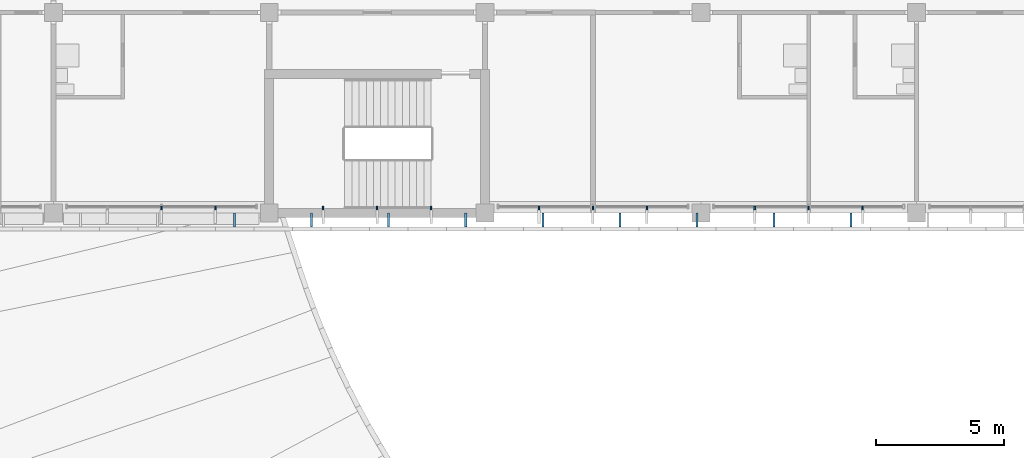
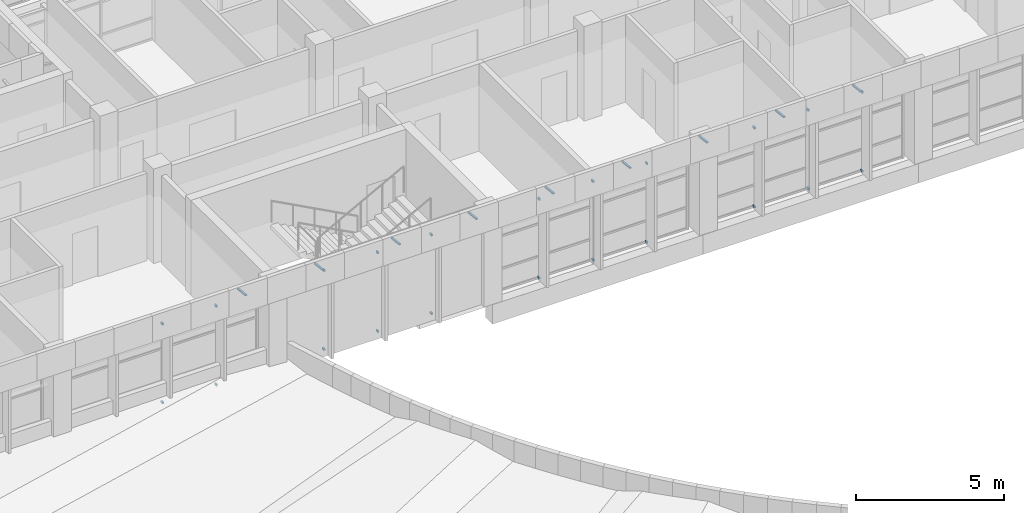
# One storey, part 49 of 74: 31 discrete accessories.
"""IFC4 building model written with IfcOpenShell, lengths in metres."""

from ifc_helpers import new_model, si_unit, direction, frame, origin, origin_2d, place, context, subcontext, project, spatial, rectangle, extrude, material, material_profile, profile_set, type_object, element, save


model = new_model("IFC4")

# Units and contexts
model_context = context("Model", 3, precision=1e-05, world=origin(), true_north=direction((0.0, 1.0)))
body_context = subcontext(model_context, "Body", "Model", "MODEL_VIEW")
ifc_project = project(units=[si_unit("LENGTHUNIT", "METRE"), si_unit("AREAUNIT", "SQUARE_METRE"), si_unit("VOLUMEUNIT", "CUBIC_METRE"), si_unit("PLANEANGLEUNIT", "RADIAN"), si_unit("MASSUNIT", "GRAM", prefix="KILO")], contexts=[model_context])

# Site, building, storey
site_placement = place(None, origin())
site = spatial("IfcSite", under=ifc_project, at=site_placement, CompositionType="ELEMENT")
building_placement = place(site_placement, origin())
building = spatial("IfcBuilding", under=site, at=building_placement, Name="Bougainvillea Quay General Hospital", CompositionType="ELEMENT")
storey_placement = place(building_placement, frame((0.0, 0.0, 21.0)))
storey = spatial("IfcBuildingStorey", under=building, at=storey_placement, Name="L04", CompositionType="ELEMENT", Elevation=21.0)

# Discrete accessories
ifc_material = material(Name="Stainless steel bracket, grade 316", Category="steel")
discrete_accessory_type_1 = type_object("IfcDiscreteAccessoryType", Name="Stainless steel fin arm 60x80", PredefinedType="BRACKET", material=ifc_material)
for number, where, z_axis, x_axis, name in (
    (1, (98.699951171875, 117.7900390625, 0.0), (0.0, 0.0, 1.0), (0.0, -1.0, 0.0), "Fin arm V5B L04 01.25B"),
    (2, (98.699951171875, 117.7900390625, 3.25), (0.0, 0.0, 1.0), (0.0, -1.0, 0.0), "Fin arm V5B L04 01.25T"),
    (3, (96.60009765625, 117.7900390625, 0.0), (0.0, 0.0, 1.0), (0.0, -1.0, 0.0), "Fin arm V5B L04 01.26B"),
    (4, (96.60009765625, 117.7900390625, 3.25), (0.0, 0.0, 1.0), (0.0, -1.0, 0.0), "Fin arm V5B L04 01.26T"),
    (5, (94.5, 117.7900390625, 0.0), (0.0, 0.0, 1.0), (0.0, -1.0, 0.0), "Fin arm V5B L04 01.27B"),
    (6, (94.5, 117.7900390625, 3.25), (0.0, 0.0, 1.0), (0.0, -1.0, 0.0), "Fin arm V5B L04 01.27T"),
    (7, (90.300048828125, 117.7900390625, 0.0), (0.0, 0.0, 1.0), (0.0, -1.0, 0.0), "Fin arm V5B L04 01.28B"),
    (8, (90.300048828125, 117.7900390625, 3.25), (0.0, 0.0, 1.0), (0.0, -1.0, 0.0), "Fin arm V5B L04 01.28T"),
    (9, (88.199951171875, 117.7900390625, 0.0), (0.0, 0.0, 1.0), (0.0, -1.0, 0.0), "Fin arm V5B L04 01.29B"),
    (10, (88.199951171875, 117.7900390625, 3.25), (0.0, 0.0, 1.0), (0.0, -1.0, 0.0), "Fin arm V5B L04 01.29T"),
    (11, (86.10009765625, 117.7900390625, 0.0), (0.0, 0.0, 1.0), (0.0, -1.0, 0.0), "Fin arm V5B L04 01.30B"),
    (12, (86.10009765625, 117.7900390625, 3.25), (0.0, 0.0, 1.0), (0.0, -1.0, 0.0), "Fin arm V5B L04 01.30T"),
    (13, (81.89990234375, 117.7900390625, 0.0), (0.0, 0.0, 1.0), (0.0, -1.0, 0.0), "Fin arm V5B L04 01.31B"),
    (14, (81.89990234375, 117.7900390625, 3.25), (0.0, 0.0, 1.0), (0.0, -1.0, 0.0), "Fin arm V5B L04 01.31T"),
    (15, (79.800048828125, 117.7900390625, 0.0), (0.0, 0.0, 1.0), (0.0, -1.0, 0.0), "Fin arm V5B L04 01.32B"),
    (16, (79.800048828125, 117.7900390625, 3.25), (0.0, 0.0, 1.0), (0.0, -1.0, 0.0), "Fin arm V5B L04 01.32T"),
    (17, (77.699951171875, 117.7900390625, 0.0), (0.0, 0.0, 1.0), (0.0, -1.0, 0.0), "Fin arm V5B L04 01.33B"),
    (18, (77.699951171875, 117.7900390625, 3.25), (0.0, 0.0, 1.0), (0.0, -1.0, 0.0), "Fin arm V5B L04 01.33T"),
    (19, (73.5, 117.7900390625, 0.0), (0.0, 0.0, 1.0), (0.0, -1.0, 0.0), "Fin arm V5B L04 01.34B"),
    (20, (73.5, 117.7900390625, 3.25), (0.0, 0.0, 1.0), (0.0, -1.0, 0.0), "Fin arm V5B L04 01.34T"),
    (21, (71.39990234375, 117.7900390625, 0.0), (0.0, 0.0, 1.0), (0.0, -1.0, 0.0), "Fin arm V5B L04 01.35B"),
    (22, (71.39990234375, 117.7900390625, 3.25), (0.0, 0.0, 1.0), (0.0, -1.0, 0.0), "Fin arm V5B L04 01.35T"),
):
    element("IfcDiscreteAccessory", number, at=place(storey_placement, frame(where, z_axis=z_axis, x_axis=x_axis)), inside=storey, type_object=discrete_accessory_type_1, Name=name, PredefinedType="BRACKET", context=body_context, shape_type="SweptSolid", body=[
        extrude(rectangle(XDim=0.1201171875, YDim=0.06005859375, at=origin_2d()), origin(), (0.0, 0.0, 1.0), 0.080078125),
    ])
ifc_material_profile = material_profile(ifc_material, rectangle(XDim=0.080078125, YDim=0.050048828125, at=origin_2d()))
ifc_profile_set = profile_set([ifc_material_profile], Name="Stainless steel bracket, grade 316")
discrete_accessory_type_2 = type_object("IfcDiscreteAccessoryType", Name="Stainless steel stand-off bracket 80x50", PredefinedType="BRACKET", material=ifc_profile_set)
for number, where, z_axis, x_axis, name in (
    (23, (74.25, 117.60009765625, 3.840087890625), (0.0, -0.994139309541, 0.108106582706), (1.0, 0.0, 0.0), "Fascia bracket e0 35"),
    (24, (77.25, 117.60009765625, 3.840087890625), (0.0, -0.994139309541, 0.108106582706), (1.0, 0.0, 0.0), "Fascia bracket e0 37"),
    (25, (80.25, 117.60009765625, 3.840087890625), (0.0, -0.994139309541, 0.108106582706), (1.0, 0.0, 0.0), "Fascia bracket e0 39"),
    (26, (83.25, 117.60009765625, 3.840087890625), (0.0, -0.994139309541, 0.108106582706), (1.0, 0.0, 0.0), "Fascia bracket e0 41"),
    (27, (86.25, 117.60009765625, 3.840087890625), (0.0, -0.994139309541, 0.108106582706), (1.0, 0.0, 0.0), "Fascia bracket e0 43"),
    (28, (89.25, 117.60009765625, 3.840087890625), (0.0, -0.994139309541, 0.108106582706), (1.0, 0.0, 0.0), "Fascia bracket e0 45"),
    (29, (92.25, 117.60009765625, 3.840087890625), (0.0, -0.994139309541, 0.108106582706), (1.0, 0.0, 0.0), "Fascia bracket e0 47"),
    (30, (95.25, 117.60009765625, 3.840087890625), (0.0, -0.994139309541, 0.108106582706), (1.0, 0.0, 0.0), "Fascia bracket e0 49"),
    (31, (98.25, 117.60009765625, 3.840087890625), (0.0, -0.994139309541, 0.108106582706), (1.0, 0.0, 0.0), "Fascia bracket e0 51"),
):
    element("IfcDiscreteAccessory", number, at=place(storey_placement, frame(where, z_axis=z_axis, x_axis=x_axis)), inside=storey, type_object=discrete_accessory_type_2, Name=name, PredefinedType="BRACKET", context=body_context, shape_type="SweptSolid", body=[
        extrude(rectangle(XDim=0.080078125, YDim=0.050048828125, at=origin_2d()), origin(), (0.0, 0.0, 1.0), 0.55322265625),
    ])

save(model, "model.ifc")
